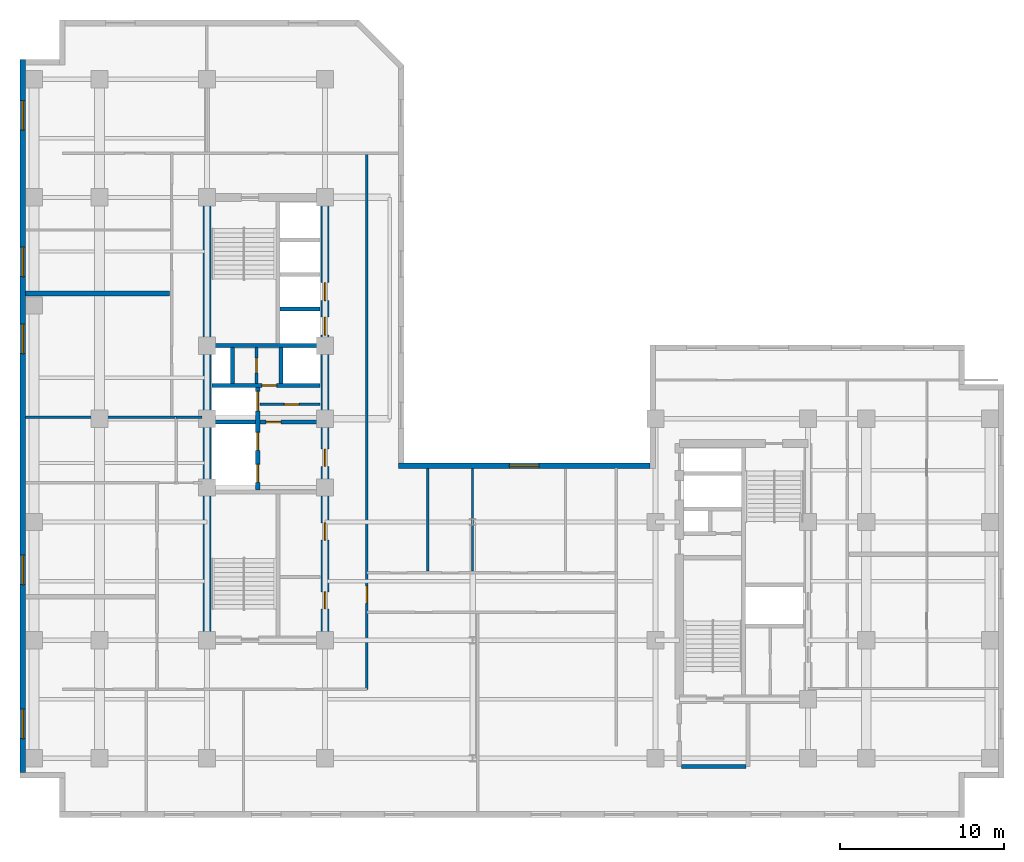
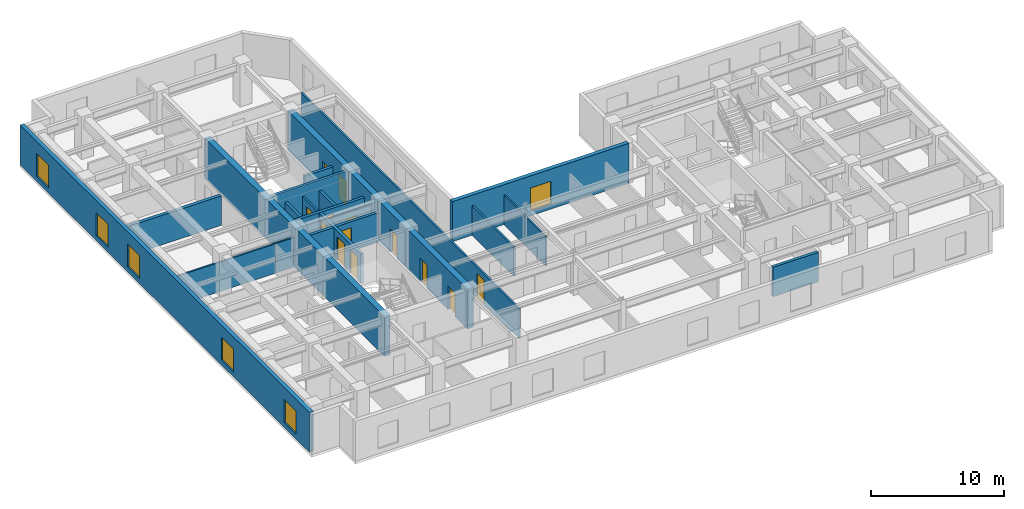
# One storey, part 4 of 10: 21 walls, 13 doors, 6 windows, 19 openings.
"""IFC4 building model written with IfcOpenShell, lengths in metres."""

from ifc_helpers import new_model, entity, si_unit, converted_unit, direction, frame, origin_with_axes, origin_2d_with_axis, place, context, subcontext, project, spatial, polyline, rectangle, outline, extrude, material, layer, layer_set, type_object, element, fill, save


model = new_model("IFC4")

# Units and contexts
model_context = context("Model", 3, precision=1e-05, world=origin_with_axes(), true_north=direction((0.0, 1.0)))
body_context = subcontext(model_context, "Body", "Model", "MODEL_VIEW")
ifc_project = project(units=[si_unit("LENGTHUNIT", "METRE"), si_unit("AREAUNIT", "SQUARE_METRE"), si_unit("VOLUMEUNIT", "CUBIC_METRE"), converted_unit("PLANEANGLEUNIT", "DEGREE", entity("IfcPlaneAngleMeasure", 0.017453292519943295), si_unit("PLANEANGLEUNIT", "RADIAN"), dimensions=[0, 0, 0, 0, 0, 0, 0]), si_unit("MASSUNIT", "GRAM", prefix="KILO"), si_unit("THERMODYNAMICTEMPERATUREUNIT", "KELVIN")], contexts=[model_context])

# Site, building, storey
site_placement = place(None, origin_with_axes())
site = spatial("IfcSite", under=ifc_project, at=site_placement, CompositionType="ELEMENT")
building_placement = place(site_placement, origin_with_axes())
building = spatial("IfcBuilding", under=site, at=building_placement, Name="Varnlund Millrace Tower", CompositionType="ELEMENT")
storey_placement = place(building_placement, frame((0.0, 0.0, 160.2), z_axis=(0.0, 0.0, 1.0), x_axis=(1.0, 0.0, 0.0)))
storey = spatial("IfcBuildingStorey", under=building, at=storey_placement, Name="L39", CompositionType="ELEMENT", Elevation=160.2)

# Wall
ifc_material_1 = material(Name="Concrete C70/85", Category="concrete")
ifc_layer_1 = layer(ifc_material_1, 0.5, Name="Concrete C70/85")
ifc_layer_set_1 = layer_set([ifc_layer_1], Name="Concrete C70/85")
wall_type_1 = type_object("IfcWallType", Name="Type-CoreWall-Shear-500-C70", PredefinedType="SHEAR", material=ifc_layer_set_1)
wall_1_placement = place(storey_placement, frame((11.4, 10.8, 0.0), z_axis=(0.0, 0.0, 1.0), x_axis=(0.0, 1.0, 0.0)))
element("IfcWall", 1, at=wall_1_placement, inside=storey, type_object=wall_type_1, Name="Type-CoreWall-Shear-500-C70", PredefinedType="SHEAR", context=body_context, shape_type="SweptSolid", body=[
    extrude(outline(polyline([(0.0, -0.25), (27.0, -0.25), (27.0, 0.25), (0.0, 0.25), (0.0, -0.25)])), origin_with_axes(), (0.0, 0.0, 1.0), 3.66),
])

# Wall, openings, doors
wall_2_placement = place(storey_placement, frame((18.6, 10.8, 0.0), z_axis=(0.0, 0.0, 1.0), x_axis=(0.0, 1.0, 0.0)))
wall_2 = element("IfcWall", 2, at=wall_2_placement, inside=storey, type_object=wall_type_1, Name="Type-CoreWall-Shear-500-C70", PredefinedType="SHEAR", context=body_context, shape_type="SweptSolid", body=[
    extrude(outline(polyline([(0.0, -0.25), (13.5, -0.25), (13.5, 0.25), (0.0, 0.25), (0.0, -0.25)])), origin_with_axes(), (0.0, 0.0, 1.0), 3.66),
])
opening_1_placement = place(wall_2_placement, frame((11.125, 0.0, 0.0), z_axis=(0.0, 0.0, 1.0), x_axis=(1.0, 0.0, 0.0)))
opening_1 = element("IfcOpeningElement", 3, at=opening_1_placement, cuts=wall_2, Name="Opening L39:DR-FFLOB-A", PredefinedType="OPENING", context=body_context, shape_type="SweptSolid", body=[
    extrude(rectangle(XDim=1.05, YDim=0.52, at=origin_2d_with_axis()), origin_with_axes(), (0.0, 0.0, 1.0), 2.15),
])
opening_2_placement = place(wall_2_placement, frame((2.425, 0.0, 0.0), z_axis=(0.0, 0.0, 1.0), x_axis=(1.0, 0.0, 0.0)))
opening_2 = element("IfcOpeningElement", 4, at=opening_2_placement, cuts=wall_2, Name="Opening L39:DR-RECL-A1-1", PredefinedType="OPENING", context=body_context, shape_type="SweptSolid", body=[
    extrude(rectangle(XDim=1.05, YDim=0.52, at=origin_2d_with_axis()), origin_with_axes(), (0.0, 0.0, 1.0), 2.15),
])
opening_3_placement = place(wall_2_placement, frame((6.625, 0.0, 0.0), z_axis=(0.0, 0.0, 1.0), x_axis=(1.0, 0.0, 0.0)))
opening_3 = element("IfcOpeningElement", 5, at=opening_3_placement, cuts=wall_2, Name="Opening L39:DR-RECL-A1-2", PredefinedType="OPENING", context=body_context, shape_type="SweptSolid", body=[
    extrude(rectangle(XDim=1.05, YDim=0.52, at=origin_2d_with_axis()), origin_with_axes(), (0.0, 0.0, 1.0), 2.15),
])
ifc_material_2 = material(Name="Smoke-barrier hollow steel fire door", Category="steel")
door_type_1 = type_object("IfcDoorType", Name="Type-FireDoor-Lobby-1050X2150", OperationType="NOTDEFINED", PredefinedType="DOOR", material=ifc_material_2)
door_1_placement = place(wall_2_placement, frame((11.125, 0.0, 0.0), z_axis=(0.0, 0.0, 1.0), x_axis=(1.0, 0.0, 0.0)))
door_1 = element("IfcDoor", 6, at=door_1_placement, inside=storey, type_object=door_type_1, Name="Type-FireDoor-Lobby-1050X2150", OperationType="SINGLE_SWING_LEFT", OverallHeight=2.15, OverallWidth=1.05, PredefinedType="DOOR", context=body_context, shape_type="SweptSolid", body=[
    extrude(rectangle(XDim=1.05, YDim=0.09, at=origin_2d_with_axis()), origin_with_axes(), (0.0, 0.0, 1.0), 2.15),
])
fill(opening_1, door_1)
door_2_placement = place(wall_2_placement, frame((2.425, 0.0, 0.0), z_axis=(0.0, 0.0, 1.0), x_axis=(1.0, 0.0, 0.0)))
door_2 = element("IfcDoor", 7, at=door_2_placement, inside=storey, type_object=door_type_1, Name="Type-FireDoor-Lobby-1050X2150", OperationType="SINGLE_SWING_LEFT", OverallHeight=2.15, OverallWidth=1.05, PredefinedType="DOOR", context=body_context, shape_type="SweptSolid", body=[
    extrude(rectangle(XDim=1.05, YDim=0.09, at=origin_2d_with_axis()), origin_with_axes(), (0.0, 0.0, 1.0), 2.15),
])
fill(opening_2, door_2)
door_3_placement = place(wall_2_placement, frame((6.625, 0.0, 0.0), z_axis=(0.0, 0.0, 1.0), x_axis=(1.0, 0.0, 0.0)))
door_3 = element("IfcDoor", 8, at=door_3_placement, inside=storey, type_object=door_type_1, Name="Type-FireDoor-Lobby-1050X2150", OperationType="SINGLE_SWING_RIGHT", OverallHeight=2.15, OverallWidth=1.05, PredefinedType="DOOR", context=body_context, shape_type="SweptSolid", body=[
    extrude(rectangle(XDim=1.05, YDim=0.09, at=origin_2d_with_axis()), origin_with_axes(), (0.0, 0.0, 1.0), 2.15),
])
fill(opening_3, door_3)

wall_3_placement = place(storey_placement, frame((18.6, 24.3, 0.0), z_axis=(0.0, 0.0, 1.0), x_axis=(0.0, 1.0, 0.0)))
wall_3 = element("IfcWall", 9, at=wall_3_placement, inside=storey, type_object=wall_type_1, Name="Type-CoreWall-Shear-500-C70", PredefinedType="SHEAR", context=body_context, shape_type="SweptSolid", body=[
    extrude(outline(polyline([(0.0, -0.25), (13.5, -0.25), (13.5, 0.25), (0.0, 0.25), (0.0, -0.25)])), origin_with_axes(), (0.0, 0.0, 1.0), 3.66),
])
opening_4_placement = place(wall_3_placement, frame((5.65, 0.0, 0.0), z_axis=(0.0, 0.0, 1.0), x_axis=(1.0, 0.0, 0.0)))
opening_4 = element("IfcOpeningElement", 10, at=opening_4_placement, cuts=wall_3, Name="Opening L39:LD-ELV-M1", PredefinedType="OPENING", context=body_context, shape_type="SweptSolid", body=[
    extrude(rectangle(XDim=1.1, YDim=0.52, at=origin_2d_with_axis()), origin_with_axes(), (0.0, 0.0, 1.0), 2.15),
])
opening_5_placement = place(wall_3_placement, frame((7.75, 0.0, 0.0), z_axis=(0.0, 0.0, 1.0), x_axis=(1.0, 0.0, 0.0)))
opening_5 = element("IfcOpeningElement", 11, at=opening_5_placement, cuts=wall_3, Name="Opening L39:LD-ELV-M2", PredefinedType="OPENING", context=body_context, shape_type="SweptSolid", body=[
    extrude(rectangle(XDim=1.1, YDim=0.52, at=origin_2d_with_axis()), origin_with_axes(), (0.0, 0.0, 1.0), 2.15),
])
ifc_material_3 = material(Name="Stainless and architectural bronze sliding landing door")
door_type_2 = type_object("IfcDoorType", Name="Type-LiftLandingDoor-1100X2150", OperationType="NOTDEFINED", PredefinedType="DOOR", material=ifc_material_3)
door_4_placement = place(wall_3_placement, frame((5.65, 0.0, 0.0), z_axis=(0.0, 0.0, 1.0), x_axis=(1.0, 0.0, 0.0)))
door_4 = element("IfcDoor", 12, at=door_4_placement, inside=storey, type_object=door_type_2, Name="Type-LiftLandingDoor-1100X2150", OperationType="SLIDING_TO_LEFT", OverallHeight=2.15, OverallWidth=1.1, PredefinedType="DOOR", context=body_context, shape_type="SweptSolid", body=[
    extrude(rectangle(XDim=1.1, YDim=0.09, at=origin_2d_with_axis()), origin_with_axes(), (0.0, 0.0, 1.0), 2.15),
])
fill(opening_4, door_4)
door_5_placement = place(wall_3_placement, frame((7.75, 0.0, 0.0), z_axis=(0.0, 0.0, 1.0), x_axis=(1.0, 0.0, 0.0)))
door_5 = element("IfcDoor", 13, at=door_5_placement, inside=storey, type_object=door_type_2, Name="Type-LiftLandingDoor-1100X2150", OperationType="SLIDING_TO_RIGHT", OverallHeight=2.15, OverallWidth=1.1, PredefinedType="DOOR", context=body_context, shape_type="SweptSolid", body=[
    extrude(rectangle(XDim=1.1, YDim=0.09, at=origin_2d_with_axis()), origin_with_axes(), (0.0, 0.0, 1.0), 2.15),
])
fill(opening_5, door_5)

# Wall, openings, windows
ifc_material_4 = material(Name="Precast concrete C50/60", Category="concrete")
ifc_layer_2 = layer(ifc_material_4, 0.34, Name="Precast concrete C50/60")
ifc_layer_set_2 = layer_set([ifc_layer_2], Name="Precast concrete C50/60")
wall_type_2 = type_object("IfcWallType", Name="Type-ExtWall-Precast-Upper-340", PredefinedType="SOLIDWALL", material=ifc_layer_set_2)
wall_4_placement = place(storey_placement, frame((0.17, 2.74, 0.0), z_axis=(0.0, 0.0, 1.0), x_axis=(0.0, 1.0, 0.0)))
wall_4 = element("IfcWall", 14, at=wall_4_placement, inside=storey, type_object=wall_type_2, Name="Type-ExtWall-Precast-Upper-340", PredefinedType="SOLIDWALL", context=body_context, shape_type="SweptSolid", body=[
    extrude(outline(polyline([(0.0, -0.17), (43.46, -0.17), (43.46, 0.17), (0.0, 0.17), (0.0, -0.17)])), origin_with_axes(), (0.0, 0.0, 1.0), 3.66),
])
opening_6_placement = place(wall_4_placement, frame((2.948, 0.0, 0.45), z_axis=(0.0, 0.0, 1.0), x_axis=(1.0, 0.0, 0.0)))
opening_6 = element("IfcOpeningElement", 15, at=opening_6_placement, cuts=wall_4, Name="Opening L39:WN-19", PredefinedType="OPENING", context=body_context, shape_type="SweptSolid", body=[
    extrude(rectangle(XDim=1.8, YDim=0.36, at=origin_2d_with_axis()), origin_with_axes(), (0.0, 0.0, 1.0), 2.1),
])
opening_7_placement = place(wall_4_placement, frame((12.339, 0.0, 0.45), z_axis=(0.0, 0.0, 1.0), x_axis=(1.0, 0.0, 0.0)))
opening_7 = element("IfcOpeningElement", 16, at=opening_7_placement, cuts=wall_4, Name="Opening L39:WN-20", PredefinedType="OPENING", context=body_context, shape_type="SweptSolid", body=[
    extrude(rectangle(XDim=1.8, YDim=0.36, at=origin_2d_with_axis()), origin_with_axes(), (0.0, 0.0, 1.0), 2.1),
])
opening_8_placement = place(wall_4_placement, frame((26.426, 0.0, 0.45), z_axis=(0.0, 0.0, 1.0), x_axis=(1.0, 0.0, 0.0)))
opening_8 = element("IfcOpeningElement", 17, at=opening_8_placement, cuts=wall_4, Name="Opening L39:WN-21", PredefinedType="OPENING", context=body_context, shape_type="SweptSolid", body=[
    extrude(rectangle(XDim=1.8, YDim=0.36, at=origin_2d_with_axis()), origin_with_axes(), (0.0, 0.0, 1.0), 2.1),
])
opening_9_placement = place(wall_4_placement, frame((31.121, 0.0, 0.45), z_axis=(0.0, 0.0, 1.0), x_axis=(1.0, 0.0, 0.0)))
opening_9 = element("IfcOpeningElement", 18, at=opening_9_placement, cuts=wall_4, Name="Opening L39:WN-22", PredefinedType="OPENING", context=body_context, shape_type="SweptSolid", body=[
    extrude(rectangle(XDim=1.8, YDim=0.36, at=origin_2d_with_axis()), origin_with_axes(), (0.0, 0.0, 1.0), 2.1),
])
opening_10_placement = place(wall_4_placement, frame((40.062, 0.0, 0.45), z_axis=(0.0, 0.0, 1.0), x_axis=(1.0, 0.0, 0.0)))
opening_10 = element("IfcOpeningElement", 19, at=opening_10_placement, cuts=wall_4, Name="Opening L39:WN-23", PredefinedType="OPENING", context=body_context, shape_type="SweptSolid", body=[
    extrude(rectangle(XDim=1.8, YDim=0.36, at=origin_2d_with_axis()), origin_with_axes(), (0.0, 0.0, 1.0), 2.1),
])
ifc_material_5 = material(Name="Argon low-e triple glazing in thermally broken bronze frame", Category="glass")
window_type = type_object("IfcWindowType", Name="Type-Window-Punched-1800X2100", PartitioningType="SINGLE_PANEL", PredefinedType="WINDOW", material=ifc_material_5)
window_1_placement = place(wall_4_placement, frame((2.948, 0.0, 0.45), z_axis=(0.0, 0.0, 1.0), x_axis=(1.0, 0.0, 0.0)))
window_1 = element("IfcWindow", 20, at=window_1_placement, inside=storey, type_object=window_type, Name="Type-Window-Punched-1800X2100", OverallHeight=2.1, OverallWidth=1.8, PredefinedType="WINDOW", context=body_context, shape_type="SweptSolid", body=[
    extrude(rectangle(XDim=1.8, YDim=0.09, at=origin_2d_with_axis()), origin_with_axes(), (0.0, 0.0, 1.0), 2.1),
])
fill(opening_6, window_1)
window_2_placement = place(wall_4_placement, frame((12.339, 0.0, 0.45), z_axis=(0.0, 0.0, 1.0), x_axis=(1.0, 0.0, 0.0)))
window_2 = element("IfcWindow", 21, at=window_2_placement, inside=storey, type_object=window_type, Name="Type-Window-Punched-1800X2100", OverallHeight=2.1, OverallWidth=1.8, PredefinedType="WINDOW", context=body_context, shape_type="SweptSolid", body=[
    extrude(rectangle(XDim=1.8, YDim=0.09, at=origin_2d_with_axis()), origin_with_axes(), (0.0, 0.0, 1.0), 2.1),
])
fill(opening_7, window_2)
window_3_placement = place(wall_4_placement, frame((26.426, 0.0, 0.45), z_axis=(0.0, 0.0, 1.0), x_axis=(1.0, 0.0, 0.0)))
window_3 = element("IfcWindow", 22, at=window_3_placement, inside=storey, type_object=window_type, Name="Type-Window-Punched-1800X2100", OverallHeight=2.1, OverallWidth=1.8, PredefinedType="WINDOW", context=body_context, shape_type="SweptSolid", body=[
    extrude(rectangle(XDim=1.8, YDim=0.09, at=origin_2d_with_axis()), origin_with_axes(), (0.0, 0.0, 1.0), 2.1),
])
fill(opening_8, window_3)
window_4_placement = place(wall_4_placement, frame((31.121, 0.0, 0.45), z_axis=(0.0, 0.0, 1.0), x_axis=(1.0, 0.0, 0.0)))
window_4 = element("IfcWindow", 23, at=window_4_placement, inside=storey, type_object=window_type, Name="Type-Window-Punched-1800X2100", OverallHeight=2.1, OverallWidth=1.8, PredefinedType="WINDOW", context=body_context, shape_type="SweptSolid", body=[
    extrude(rectangle(XDim=1.8, YDim=0.09, at=origin_2d_with_axis()), origin_with_axes(), (0.0, 0.0, 1.0), 2.1),
])
fill(opening_9, window_4)
window_5_placement = place(wall_4_placement, frame((40.062, 0.0, 0.45), z_axis=(0.0, 0.0, 1.0), x_axis=(1.0, 0.0, 0.0)))
window_5 = element("IfcWindow", 24, at=window_5_placement, inside=storey, type_object=window_type, Name="Type-Window-Punched-1800X2100", OverallHeight=2.1, OverallWidth=1.8, PredefinedType="WINDOW", context=body_context, shape_type="SweptSolid", body=[
    extrude(rectangle(XDim=1.8, YDim=0.09, at=origin_2d_with_axis()), origin_with_axes(), (0.0, 0.0, 1.0), 2.1),
])
fill(opening_10, window_5)

# Wall, opening, window
wall_5_placement = place(storey_placement, frame((23.076, 21.43, 0.0), z_axis=(0.0, 0.0, 1.0), x_axis=(1.0, 0.0, 0.0)))
wall_5 = element("IfcWall", 25, at=wall_5_placement, inside=storey, type_object=wall_type_2, Name="Type-ExtWall-Precast-Upper-340", PredefinedType="SOLIDWALL", context=body_context, shape_type="SweptSolid", body=[
    extrude(outline(polyline([(0.0, -0.17), (15.324, -0.17), (15.324, 0.17), (0.0, 0.17), (0.0, -0.17)])), origin_with_axes(), (0.0, 0.0, 1.0), 3.66),
])
opening_11_placement = place(wall_5_placement, frame((7.662, 0.0, 0.45), z_axis=(0.0, 0.0, 1.0), x_axis=(1.0, 0.0, 0.0)))
opening_11 = element("IfcOpeningElement", 26, at=opening_11_placement, cuts=wall_5, Name="Opening L39:WN-31", PredefinedType="OPENING", context=body_context, shape_type="SweptSolid", body=[
    extrude(rectangle(XDim=1.8, YDim=0.36, at=origin_2d_with_axis()), origin_with_axes(), (0.0, 0.0, 1.0), 2.1),
])
window_6_placement = place(wall_5_placement, frame((7.662, 0.0, 0.45), z_axis=(0.0, 0.0, 1.0), x_axis=(1.0, 0.0, 0.0)))
window_6 = element("IfcWindow", 27, at=window_6_placement, inside=storey, type_object=window_type, Name="Type-Window-Punched-1800X2100", OverallHeight=2.1, OverallWidth=1.8, PredefinedType="WINDOW", context=body_context, shape_type="SweptSolid", body=[
    extrude(rectangle(XDim=1.8, YDim=0.09, at=origin_2d_with_axis()), origin_with_axes(), (0.0, 0.0, 1.0), 2.1),
])
fill(opening_11, window_6)

# Wall
ifc_material_6 = material(Name="Double-stud STC-60 conference acoustic partition", Category="gypsum")
ifc_layer_3 = layer(ifc_material_6, 0.28, Name="Double-stud STC-60 conference acoustic partition")
ifc_layer_set_3 = layer_set([ifc_layer_3], Name="Double-stud STC-60 conference acoustic partition")
wall_type_3 = type_object("IfcWallType", Name="Type-Partition-Acoustic-280", PredefinedType="PARTITIONING", material=ifc_layer_set_3)
wall_6_placement = place(storey_placement, frame((0.335, 31.935, 0.0), z_axis=(0.0, 0.0, 1.0), x_axis=(1.0, 0.0, 0.0)))
element("IfcWall", 28, at=wall_6_placement, inside=storey, type_object=wall_type_3, Name="Type-Partition-Acoustic-280", PredefinedType="PARTITIONING", context=body_context, shape_type="SweptSolid", body=[
    extrude(outline(polyline([(0.0, -0.14), (8.795, -0.14), (8.795, 0.14), (0.0, 0.14), (0.0, -0.14)])), origin_with_axes(), (0.0, 0.0, 1.0), 2.7),
])

# Wall, opening, door
ifc_material_7 = material(Name="Fire-rated gypsum board on cold-formed steel framing", Category="steel")
ifc_layer_4 = layer(ifc_material_7, 0.16, Name="Fire-rated gypsum board on cold-formed steel framing")
ifc_layer_set_4 = layer_set([ifc_layer_4], Name="Fire-rated gypsum board on cold-formed steel framing")
wall_type_4 = type_object("IfcWallType", Name="Type-Partition-Corridor-160", PredefinedType="PARTITIONING", material=ifc_layer_set_4)
wall_7_placement = place(storey_placement, frame((14.62, 25.18, 0.0), z_axis=(0.0, 0.0, 1.0), x_axis=(1.0, 0.0, 0.0)))
wall_7 = element("IfcWall", 29, at=wall_7_placement, inside=storey, type_object=wall_type_4, Name="Type-Partition-Corridor-160", PredefinedType="PARTITIONING", context=body_context, shape_type="SweptSolid", body=[
    extrude(outline(polyline([(0.0, -0.08), (3.68, -0.08), (3.68, 0.08), (0.0, 0.08), (0.0, -0.08)])), origin_with_axes(), (0.0, 0.0, 1.0), 2.7),
])
opening_12_placement = place(wall_7_placement, frame((1.95, 0.0, 0.0), z_axis=(0.0, 0.0, 1.0), x_axis=(1.0, 0.0, 0.0)))
opening_12 = element("IfcOpeningElement", 30, at=opening_12_placement, cuts=wall_7, Name="Opening L39:DR-CA-SUB2", PredefinedType="OPENING", context=body_context, shape_type="SweptSolid", body=[
    extrude(rectangle(XDim=0.9, YDim=0.18, at=origin_2d_with_axis()), origin_with_axes(), (0.0, 0.0, 1.0), 2.15),
])
ifc_material_8 = material(Name="Painted steel riser and closet door", Category="steel")
door_type_3 = type_object("IfcDoorType", Name="Type-IntDoor-Closet-900X2150", OperationType="NOTDEFINED", PredefinedType="DOOR", material=ifc_material_8)
door_6_placement = place(wall_7_placement, frame((1.95, 0.0, 0.0), z_axis=(0.0, 0.0, 1.0), x_axis=(1.0, 0.0, 0.0)))
door_6 = element("IfcDoor", 31, at=door_6_placement, inside=storey, type_object=door_type_3, Name="Type-IntDoor-Closet-900X2150", OperationType="SINGLE_SWING_LEFT", OverallHeight=2.15, OverallWidth=0.9, PredefinedType="DOOR", context=body_context, shape_type="SweptSolid", body=[
    extrude(rectangle(XDim=0.9, YDim=0.09, at=origin_2d_with_axis()), origin_with_axes(), (0.0, 0.0, 1.0), 2.15),
])
fill(opening_12, door_6)

wall_8_placement = place(storey_placement, frame((14.42, 26.45, 0.0), z_axis=(0.0, 0.0, 1.0), x_axis=(0.0, 1.0, 0.0)))
wall_8 = element("IfcWall", 32, at=wall_8_placement, inside=storey, type_object=wall_type_4, Name="Type-Partition-Corridor-160", PredefinedType="PARTITIONING", context=body_context, shape_type="SweptSolid", body=[
    extrude(outline(polyline([(0.0, -0.08), (2.2, -0.08), (2.2, 0.08), (0.0, 0.08), (0.0, -0.08)])), origin_with_axes(), (0.0, 0.0, 1.0), 2.7),
])
opening_13_placement = place(wall_8_placement, frame((1.1, 0.0, 0.0), z_axis=(0.0, 0.0, 1.0), x_axis=(1.0, 0.0, 0.0)))
opening_13 = element("IfcOpeningElement", 33, at=opening_13_placement, cuts=wall_8, Name="Opening L39:DR-CA-EL2", PredefinedType="OPENING", context=body_context, shape_type="SweptSolid", body=[
    extrude(rectangle(XDim=0.9, YDim=0.18, at=origin_2d_with_axis()), origin_with_axes(), (0.0, 0.0, 1.0), 2.15),
])
door_7_placement = place(wall_8_placement, frame((1.1, 0.0, 0.0), z_axis=(0.0, 0.0, 1.0), x_axis=(1.0, 0.0, 0.0)))
door_7 = element("IfcDoor", 34, at=door_7_placement, inside=storey, type_object=door_type_3, Name="Type-IntDoor-Closet-900X2150", OperationType="SINGLE_SWING_LEFT", OverallHeight=2.15, OverallWidth=0.9, PredefinedType="DOOR", context=body_context, shape_type="SweptSolid", body=[
    extrude(rectangle(XDim=0.9, YDim=0.09, at=origin_2d_with_axis()), origin_with_axes(), (0.0, 0.0, 1.0), 2.15),
])
fill(opening_13, door_7)

wall_9_placement = place(storey_placement, frame((21.15, 7.8, 0.0), z_axis=(0.0, 0.0, 1.0), x_axis=(0.0, 1.0, 0.0)))
wall_9 = element("IfcWall", 35, at=wall_9_placement, inside=storey, type_object=wall_type_4, Name="Type-Partition-Corridor-160", PredefinedType="PARTITIONING", context=body_context, shape_type="SweptSolid", body=[
    extrude(outline(polyline([(0.0, -0.08), (32.7, -0.08), (32.7, 0.08), (0.0, 0.08), (0.0, -0.08)])), origin_with_axes(), (0.0, 0.0, 1.0), 2.7),
])
opening_14_placement = place(wall_9_placement, frame((5.775, 0.0, 0.0), z_axis=(0.0, 0.0, 1.0), x_axis=(1.0, 0.0, 0.0)))
opening_14 = element("IfcOpeningElement", 36, at=opening_14_placement, cuts=wall_9, Name="Opening L39:DR-KN-W", PredefinedType="OPENING", context=body_context, shape_type="SweptSolid", body=[
    extrude(rectangle(XDim=1.05, YDim=0.18, at=origin_2d_with_axis()), origin_with_axes(), (0.0, 0.0, 1.0), 2.15),
])
door_8_placement = place(wall_9_placement, frame((5.775, 0.0, 0.0), z_axis=(0.0, 0.0, 1.0), x_axis=(1.0, 0.0, 0.0)))
door_8 = element("IfcDoor", 37, at=door_8_placement, inside=storey, type_object=door_type_1, Name="Type-FireDoor-Lobby-1050X2150", OperationType="SINGLE_SWING_LEFT", OverallHeight=2.15, OverallWidth=1.05, PredefinedType="DOOR", context=body_context, shape_type="SweptSolid", body=[
    extrude(rectangle(XDim=1.05, YDim=0.09, at=origin_2d_with_axis()), origin_with_axes(), (0.0, 0.0, 1.0), 2.15),
])
fill(opening_14, door_8)

# Walls
ifc_material_9 = material(Name="Acoustic STC-50 gypsum board partition", Category="gypsum")
ifc_layer_5 = layer(ifc_material_9, 0.15, Name="Acoustic STC-50 gypsum board partition")
ifc_layer_set_5 = layer_set([ifc_layer_5], Name="Acoustic STC-50 gypsum board partition")
wall_type_5 = type_object("IfcWallType", Name="Type-Partition-Demising-150", PredefinedType="PARTITIONING", material=ifc_layer_set_5)
wall_10_placement = place(storey_placement, frame((24.853, 15.02, 0.0), z_axis=(0.0, 0.0, 1.0), x_axis=(0.0, 1.0, 0.0)))
element("IfcWall", 38, at=wall_10_placement, inside=storey, type_object=wall_type_5, Name="Type-Partition-Demising-150", PredefinedType="PARTITIONING", context=body_context, shape_type="SweptSolid", body=[
    extrude(outline(polyline([(0.0, -0.075), (6.245, -0.075), (6.245, 0.075), (0.0, 0.075), (0.0, -0.075)])), origin_with_axes(), (0.0, 0.0, 1.0), 2.7),
])
ifc_material_10 = material(Name="Gypsum board tenant partition", Category="gypsum")
ifc_layer_6 = layer(ifc_material_10, 0.125, Name="Gypsum board tenant partition")
ifc_layer_set_6 = layer_set([ifc_layer_6], Name="Gypsum board tenant partition")
wall_type_6 = type_object("IfcWallType", Name="Type-Partition-Tenant-125", PredefinedType="PARTITIONING", material=ifc_layer_set_6)
wall_11_placement = place(storey_placement, frame((27.6, 15.02, 0.0), z_axis=(0.0, 0.0, 1.0), x_axis=(0.0, 1.0, 0.0)))
element("IfcWall", 39, at=wall_11_placement, inside=storey, type_object=wall_type_6, Name="Type-Partition-Tenant-125", PredefinedType="PARTITIONING", context=body_context, shape_type="SweptSolid", body=[
    extrude(outline(polyline([(0.0, -0.0625), (6.245, -0.0625), (6.245, 0.0625), (0.0, 0.0625), (0.0, -0.0625)])), origin_with_axes(), (0.0, 0.0, 1.0), 2.7),
])
ifc_material_11 = material(Name="Moisture-resistant gypsum restroom partition", Category="gypsum")
ifc_layer_7 = layer(ifc_material_11, 0.14, Name="Moisture-resistant gypsum restroom partition")
ifc_layer_set_7 = layer_set([ifc_layer_7], Name="Moisture-resistant gypsum restroom partition")
wall_type_7 = type_object("IfcWallType", Name="Type-Partition-Wet-140", PredefinedType="PARTITIONING", material=ifc_layer_set_7)
wall_12_placement = place(storey_placement, frame((9.52, 24.4, 0.0), z_axis=(0.0, 0.0, 1.0), x_axis=(1.0, 0.0, 0.0)))
element("IfcWall", 40, at=wall_12_placement, inside=storey, type_object=wall_type_7, Name="Type-Partition-Wet-140", PredefinedType="PARTITIONING", context=body_context, shape_type="SweptSolid", body=[
    extrude(outline(polyline([(0.0, -0.07), (1.58, -0.07), (1.58, 0.07), (0.0, 0.07), (0.0, -0.07)])), origin_with_axes(), (0.0, 0.0, 1.0), 2.7),
])
wall_13_placement = place(storey_placement, frame((0.335, 24.4, 0.0), z_axis=(0.0, 0.0, 1.0), x_axis=(1.0, 0.0, 0.0)))
element("IfcWall", 41, at=wall_13_placement, inside=storey, type_object=wall_type_7, Name="Type-Partition-Wet-140", PredefinedType="PARTITIONING", context=body_context, shape_type="SweptSolid", body=[
    extrude(outline(polyline([(0.0, -0.07), (9.185, -0.07), (9.185, 0.07), (0.0, 0.07), (0.0, -0.07)])), origin_with_axes(), (0.0, 0.0, 1.0), 2.7),
])

# Wall, openings, doors
ifc_material_12 = material(Name="Concrete C60/75", Category="concrete")
ifc_layer_8 = layer(ifc_material_12, 0.25, Name="Concrete C60/75")
ifc_layer_set_8 = layer_set([ifc_layer_8], Name="Concrete C60/75")
wall_type_8 = type_object("IfcWallType", Name="Type-ShaftWall-Fire-250", PredefinedType="SOLIDWALL", material=ifc_layer_set_8)
wall_14_placement = place(storey_placement, frame((14.5, 19.95, 0.0), z_axis=(0.0, 0.0, 1.0), x_axis=(0.0, 1.0, 0.0)))
wall_14 = element("IfcWall", 42, at=wall_14_placement, inside=storey, type_object=wall_type_8, Name="Type-ShaftWall-Fire-250", PredefinedType="SOLIDWALL", context=body_context, shape_type="SweptSolid", body=[
    extrude(outline(polyline([(0.0, -0.125), (6.25, -0.125), (6.25, 0.125), (0.0, 0.125), (0.0, -0.125)])), origin_with_axes(), (0.0, 0.0, 1.0), 2.7),
])
opening_15_placement = place(wall_14_placement, frame((1.025, 0.0, 0.0), z_axis=(0.0, 0.0, 1.0), x_axis=(1.0, 0.0, 0.0)))
opening_15 = element("IfcOpeningElement", 43, at=opening_15_placement, cuts=wall_14, Name="Opening L39:LD-FSAE1", PredefinedType="OPENING", context=body_context, shape_type="SweptSolid", body=[
    extrude(rectangle(XDim=1.1, YDim=0.27, at=origin_2d_with_axis()), origin_with_axes(), (0.0, 0.0, 1.0), 2.15),
])
opening_16_placement = place(wall_14_placement, frame((2.975, 0.0, 0.0), z_axis=(0.0, 0.0, 1.0), x_axis=(1.0, 0.0, 0.0)))
opening_16 = element("IfcOpeningElement", 44, at=opening_16_placement, cuts=wall_14, Name="Opening L39:LD-FSAE2", PredefinedType="OPENING", context=body_context, shape_type="SweptSolid", body=[
    extrude(rectangle(XDim=1.1, YDim=0.27, at=origin_2d_with_axis()), origin_with_axes(), (0.0, 0.0, 1.0), 2.15),
])
opening_17_placement = place(wall_14_placement, frame((5.425, 0.0, 0.0), z_axis=(0.0, 0.0, 1.0), x_axis=(1.0, 0.0, 0.0)))
opening_17 = element("IfcOpeningElement", 45, at=opening_17_placement, cuts=wall_14, Name="Opening L39:LD-SRV1", PredefinedType="OPENING", context=body_context, shape_type="SweptSolid", body=[
    extrude(rectangle(XDim=1.2, YDim=0.27, at=origin_2d_with_axis()), origin_with_axes(), (0.0, 0.0, 1.0), 2.15),
])
door_9_placement = place(wall_14_placement, frame((1.025, 0.0, 0.0), z_axis=(0.0, 0.0, 1.0), x_axis=(1.0, 0.0, 0.0)))
door_9 = element("IfcDoor", 46, at=door_9_placement, inside=storey, type_object=door_type_2, Name="Type-LiftLandingDoor-1100X2150", OperationType="SLIDING_TO_LEFT", OverallHeight=2.15, OverallWidth=1.1, PredefinedType="DOOR", context=body_context, shape_type="SweptSolid", body=[
    extrude(rectangle(XDim=1.1, YDim=0.09, at=origin_2d_with_axis()), origin_with_axes(), (0.0, 0.0, 1.0), 2.15),
])
fill(opening_15, door_9)
door_10_placement = place(wall_14_placement, frame((2.975, 0.0, 0.0), z_axis=(0.0, 0.0, 1.0), x_axis=(1.0, 0.0, 0.0)))
door_10 = element("IfcDoor", 47, at=door_10_placement, inside=storey, type_object=door_type_2, Name="Type-LiftLandingDoor-1100X2150", OperationType="SLIDING_TO_RIGHT", OverallHeight=2.15, OverallWidth=1.1, PredefinedType="DOOR", context=body_context, shape_type="SweptSolid", body=[
    extrude(rectangle(XDim=1.1, YDim=0.09, at=origin_2d_with_axis()), origin_with_axes(), (0.0, 0.0, 1.0), 2.15),
])
fill(opening_16, door_10)
ifc_material_13 = material(Name="Heavy-duty freight sliding landing door")
door_type_4 = type_object("IfcDoorType", Name="Type-LiftLandingDoor-Service-1200X2150", OperationType="NOTDEFINED", PredefinedType="DOOR", material=ifc_material_13)
door_11_placement = place(wall_14_placement, frame((5.425, 0.0, 0.0), z_axis=(0.0, 0.0, 1.0), x_axis=(1.0, 0.0, 0.0)))
door_11 = element("IfcDoor", 48, at=door_11_placement, inside=storey, type_object=door_type_4, Name="Type-LiftLandingDoor-Service-1200X2150", OperationType="DOUBLE_DOOR_SLIDING", OverallHeight=2.15, OverallWidth=1.2, PredefinedType="DOOR", context=body_context, shape_type="SweptSolid", body=[
    extrude(rectangle(XDim=1.2, YDim=0.09, at=origin_2d_with_axis()), origin_with_axes(), (0.0, 0.0, 1.0), 2.15),
])
fill(opening_17, door_11)

# Wall, opening, door
wall_15_placement = place(storey_placement, frame((11.7, 24.1, 0.0), z_axis=(0.0, 0.0, 1.0), x_axis=(1.0, 0.0, 0.0)))
wall_15 = element("IfcWall", 49, at=wall_15_placement, inside=storey, type_object=wall_type_8, Name="Type-ShaftWall-Fire-250", PredefinedType="SOLIDWALL", context=body_context, shape_type="SweptSolid", body=[
    extrude(outline(polyline([(0.0, -0.125), (6.6, -0.125), (6.6, 0.125), (0.0, 0.125), (0.0, -0.125)])), origin_with_axes(), (0.0, 0.0, 1.0), 2.7),
])
opening_18_placement = place(wall_15_placement, frame((3.75, 0.0, 0.0), z_axis=(0.0, 0.0, 1.0), x_axis=(1.0, 0.0, 0.0)))
opening_18 = element("IfcOpeningElement", 50, at=opening_18_placement, cuts=wall_15, Name="Opening L39:DR-CA-SUB1", PredefinedType="OPENING", context=body_context, shape_type="SweptSolid", body=[
    extrude(rectangle(XDim=0.9, YDim=0.27, at=origin_2d_with_axis()), origin_with_axes(), (0.0, 0.0, 1.0), 2.15),
])
ifc_material_14 = material(Name="Fire-rated hollow steel service closet door", Category="steel")
door_type_5 = type_object("IfcDoorType", Name="Type-FireDoor-Closet-900X2150", OperationType="NOTDEFINED", PredefinedType="DOOR", material=ifc_material_14)
door_12_placement = place(wall_15_placement, frame((3.75, 0.0, 0.0), z_axis=(0.0, 0.0, 1.0), x_axis=(1.0, 0.0, 0.0)))
door_12 = element("IfcDoor", 51, at=door_12_placement, inside=storey, type_object=door_type_5, Name="Type-FireDoor-Closet-900X2150", OperationType="SINGLE_SWING_LEFT", OverallHeight=2.15, OverallWidth=0.9, PredefinedType="DOOR", context=body_context, shape_type="SweptSolid", body=[
    extrude(rectangle(XDim=0.9, YDim=0.09, at=origin_2d_with_axis()), origin_with_axes(), (0.0, 0.0, 1.0), 2.15),
])
fill(opening_18, door_12)

wall_16_placement = place(storey_placement, frame((11.7, 26.325, 0.0), z_axis=(0.0, 0.0, 1.0), x_axis=(1.0, 0.0, 0.0)))
wall_16 = element("IfcWall", 52, at=wall_16_placement, inside=storey, type_object=wall_type_8, Name="Type-ShaftWall-Fire-250", PredefinedType="SOLIDWALL", context=body_context, shape_type="SweptSolid", body=[
    extrude(outline(polyline([(0.0, -0.125), (6.6, -0.125), (6.6, 0.125), (0.0, 0.125), (0.0, -0.125)])), origin_with_axes(), (0.0, 0.0, 1.0), 2.7),
])
opening_19_placement = place(wall_16_placement, frame((3.5, 0.0, 0.0), z_axis=(0.0, 0.0, 1.0), x_axis=(1.0, 0.0, 0.0)))
opening_19 = element("IfcOpeningElement", 53, at=opening_19_placement, cuts=wall_16, Name="Opening L39:DR-CA-EL1", PredefinedType="OPENING", context=body_context, shape_type="SweptSolid", body=[
    extrude(rectangle(XDim=0.9, YDim=0.27, at=origin_2d_with_axis()), origin_with_axes(), (0.0, 0.0, 1.0), 2.15),
])
door_13_placement = place(wall_16_placement, frame((3.5, 0.0, 0.0), z_axis=(0.0, 0.0, 1.0), x_axis=(1.0, 0.0, 0.0)))
door_13 = element("IfcDoor", 54, at=door_13_placement, inside=storey, type_object=door_type_5, Name="Type-FireDoor-Closet-900X2150", OperationType="SINGLE_SWING_LEFT", OverallHeight=2.15, OverallWidth=0.9, PredefinedType="DOOR", context=body_context, shape_type="SweptSolid", body=[
    extrude(rectangle(XDim=0.9, YDim=0.09, at=origin_2d_with_axis()), origin_with_axes(), (0.0, 0.0, 1.0), 2.15),
])
fill(opening_19, door_13)

# Walls
for number, where, z_axis, x_axis, name in (
    (55, (12.96, 26.45, 0.0), (0.0, 0.0, 1.0), (0.0, 1.0, 0.0), "Type-ShaftWall-Fire-250"),
    (56, (15.925, 26.45, 0.0), (0.0, 0.0, 1.0), (0.0, 1.0, 0.0), "Type-ShaftWall-Fire-250"),
):
    element("IfcWall", number, at=place(storey_placement, frame(where, z_axis=z_axis, x_axis=x_axis)), inside=storey, type_object=wall_type_8, Name=name, PredefinedType="SOLIDWALL", context=body_context, shape_type="SweptSolid", body=[
        extrude(outline(polyline([(0.0, -0.125), (2.2, -0.125), (2.2, 0.125), (0.0, 0.125), (0.0, -0.125)])), origin_with_axes(), (0.0, 0.0, 1.0), 2.7),
    ])
wall_17_placement = place(storey_placement, frame((40.325, 3.1, 0.0), z_axis=(0.0, 0.0, 1.0), x_axis=(1.0, 0.0, 0.0)))
element("IfcWall", 57, at=wall_17_placement, inside=storey, type_object=wall_type_8, Name="Type-ShaftWall-Fire-250", PredefinedType="SOLIDWALL", context=body_context, shape_type="SweptSolid", body=[
    extrude(outline(polyline([(0.0, -0.125), (3.95, -0.125), (3.95, 0.125), (0.0, 0.125), (0.0, -0.125)])), origin_with_axes(), (0.0, 0.0, 1.0), 2.7),
])
wall_18_placement = place(storey_placement, frame((15.84, 31.0, 0.0), z_axis=(0.0, 0.0, 1.0), x_axis=(1.0, 0.0, 0.0)))
element("IfcWall", 58, at=wall_18_placement, inside=storey, type_object=wall_type_8, Name="Type-ShaftWall-Fire-250", PredefinedType="SOLIDWALL", context=body_context, shape_type="SweptSolid", body=[
    extrude(outline(polyline([(0.0, -0.125), (2.46, -0.125), (2.46, 0.125), (0.0, 0.125), (0.0, -0.125)])), origin_with_axes(), (0.0, 0.0, 1.0), 2.7),
])
wall_type_9 = type_object("IfcWallType", Name="Type-StairWall-Shear-250", PredefinedType="SHEAR", material=ifc_layer_set_8)
wall_19_placement = place(storey_placement, frame((11.65, 28.775, 0.0), z_axis=(0.0, 0.0, 1.0), x_axis=(1.0, 0.0, 0.0)))
element("IfcWall", 59, at=wall_19_placement, inside=storey, type_object=wall_type_9, Name="Type-StairWall-Shear-250", PredefinedType="SHEAR", context=body_context, shape_type="SweptSolid", body=[
    extrude(outline(polyline([(0.0, -0.125), (6.7, -0.125), (6.7, 0.125), (0.0, 0.125), (0.0, -0.125)])), origin_with_axes(), (0.0, 0.0, 1.0), 3.66),
])

save(model, "model.ifc")
